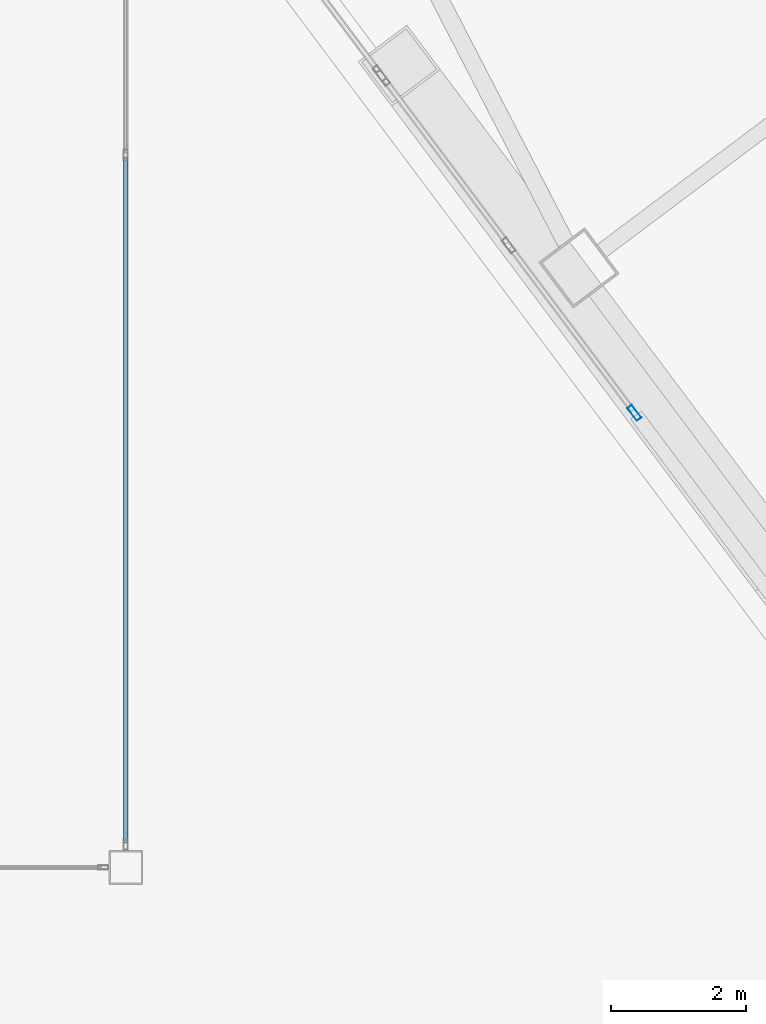
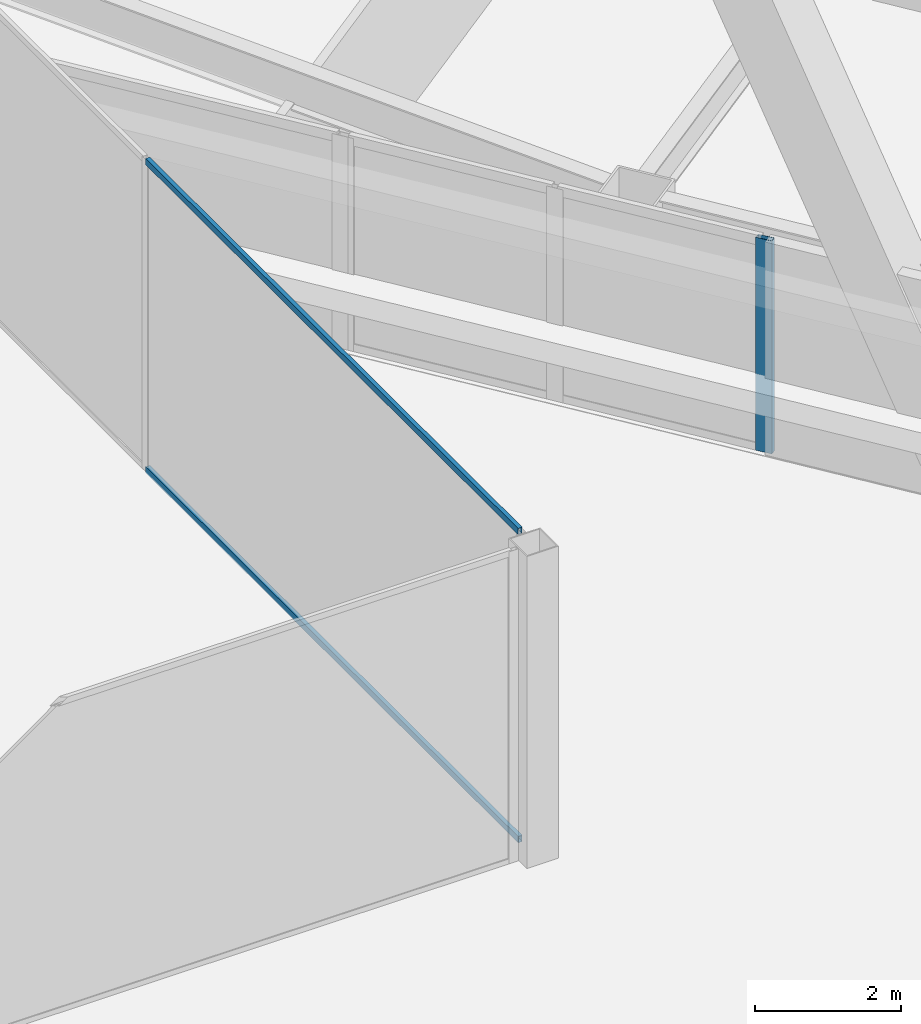
# One storey, part 29 of 83: 3 members, 2 elements without a shape of their own.
"""IFC4 building model written with IfcOpenShell, lengths in metres."""

from ifc_helpers import new_model, si_unit, direction, frame, origin, origin_2d, place, context, subcontext, project, spatial, hollow_rectangle, extrude, material, material_profile, profile_set, type_object, element, aggregate, save


model = new_model("IFC4")

# Units and contexts
model_context = context("Model", 3, precision=1e-05, world=origin(), true_north=direction((0.0, 1.0)))
body_context = subcontext(model_context, "Body", "Model", "MODEL_VIEW")
ifc_project = project(units=[si_unit("LENGTHUNIT", "METRE"), si_unit("AREAUNIT", "SQUARE_METRE"), si_unit("VOLUMEUNIT", "CUBIC_METRE"), si_unit("PLANEANGLEUNIT", "RADIAN"), si_unit("MASSUNIT", "GRAM", prefix="KILO")], contexts=[model_context])

# Site, building, storey
site_placement = place(None, origin())
site = spatial("IfcSite", under=ifc_project, at=site_placement, CompositionType="ELEMENT")
building_placement = place(site_placement, origin())
building = spatial("IfcBuilding", under=site, at=building_placement, Name="Tashvorn Skyway Center", CompositionType="ELEMENT")
storey_placement = place(building_placement, frame((0.0, 0.0, 24.60009765625)))
storey = spatial("IfcBuildingStorey", under=building, at=storey_placement, Name="L05", CompositionType="ELEMENT", Elevation=24.60009765625)

# Curtain wall, member
ifc_material = material(Name="Thermally broken bronze-anodized aluminium 6063-T6", Category="aluminium")
curtain_wall_type_1 = type_object("IfcCurtainWallType", Name="CW-CW-Z1", PredefinedType="NOTDEFINED", material=ifc_material)
curtain_wall_1_placement = place(storey_placement, origin())
curtain_wall_1 = element("IfcCurtainWall", 1, at=curtain_wall_1_placement, inside=storey, type_object=curtain_wall_type_1, Name="Tower 2 L05 West Unitised Curtain Wall Glazing Group 3", PredefinedType="NOTDEFINED")
ifc_material_profile_1 = material_profile(ifc_material, hollow_rectangle(XDim=0.0849609375, YDim=0.239990234375, WallThickness=0.0048828125, at=origin_2d()), Name="ALU-MULL-85x240")
ifc_profile_set_1 = profile_set([ifc_material_profile_1], Name="Thermally broken bronze-anodized aluminium 6063-T6")
member_type_1 = type_object("IfcMemberType", Name="CWM-CW-Z1", PredefinedType="MULLION", material=ifc_profile_set_1)
member_1_placement = place(storey_placement, frame((94.742431640625, 21.543212890625, 0.0), z_axis=(0.0, 0.0, 1.0), x_axis=(-0.800001906763, -0.599997457641, 0.0)))
member_1 = element("IfcMember", 2, at=member_1_placement, type_object=member_type_1, Name="CW-Z1 mullion 1", PredefinedType="MULLION", context=body_context, shape_type="SweptSolid", body=[
    extrude(hollow_rectangle(XDim=0.0849609375, YDim=0.239990234375, WallThickness=0.0048828125, at=origin_2d()), origin(), (0.0, 0.0, 1.0), 3.5498046875),
])
aggregate(curtain_wall_1, [member_1])

# Curtain wall, members
curtain_wall_type_2 = type_object("IfcCurtainWallType", Name="CW-CW-SKY", PredefinedType="NOTDEFINED", material=ifc_material)
curtain_wall_2_placement = place(storey_placement, origin())
curtain_wall_2 = element("IfcCurtainWall", 3, at=curtain_wall_2_placement, inside=storey, type_object=curtain_wall_type_2, Name="Station Concourse Monitor East Clerestory Curtain Wall", PredefinedType="NOTDEFINED")
ifc_material_profile_2 = material_profile(ifc_material, hollow_rectangle(XDim=0.06494140625, YDim=0.10498046875, WallThickness=0.00390625, at=origin_2d()), Name="ALU-TRAN-65x105")
ifc_profile_set_2 = profile_set([ifc_material_profile_2], Name="Thermally broken bronze-anodized aluminium 6063-T6")
member_type_2 = type_object("IfcMemberType", Name="CWT-CW-SKY", PredefinedType="USERDEFINED", material=ifc_profile_set_2)
member_2_placement = place(storey_placement, frame((87.199951171875, 25.334228515625, 0.032470703125), z_axis=(0.0, -1.0, 0.0), x_axis=(1.0, 0.0, 0.0)))
member_2 = element("IfcMember", 4, at=member_2_placement, type_object=member_type_2, Name="CW-SKY transom 3.1", ObjectType="TRANSOM", PredefinedType="USERDEFINED", context=body_context, shape_type="SweptSolid", body=[
    extrude(hollow_rectangle(XDim=0.06494140625, YDim=0.10498046875, WallThickness=0.00390625, at=origin_2d()), origin(), (0.0, 0.0, 1.0), 10.169189453125),
])
member_3_placement = place(storey_placement, frame((87.199951171875, 25.334228515625, 5.16748046875), z_axis=(0.0, -1.0, 0.0), x_axis=(1.0, 0.0, 0.0)))
member_3 = element("IfcMember", 5, at=member_3_placement, type_object=member_type_2, Name="CW-SKY transom 3.2", ObjectType="TRANSOM", PredefinedType="USERDEFINED", context=body_context, shape_type="SweptSolid", body=[
    extrude(hollow_rectangle(XDim=0.06494140625, YDim=0.10498046875, WallThickness=0.00390625, at=origin_2d()), origin(), (0.0, 0.0, 1.0), 10.169189453125),
])
aggregate(curtain_wall_2, [member_2, member_3])

save(model, "model.ifc")
